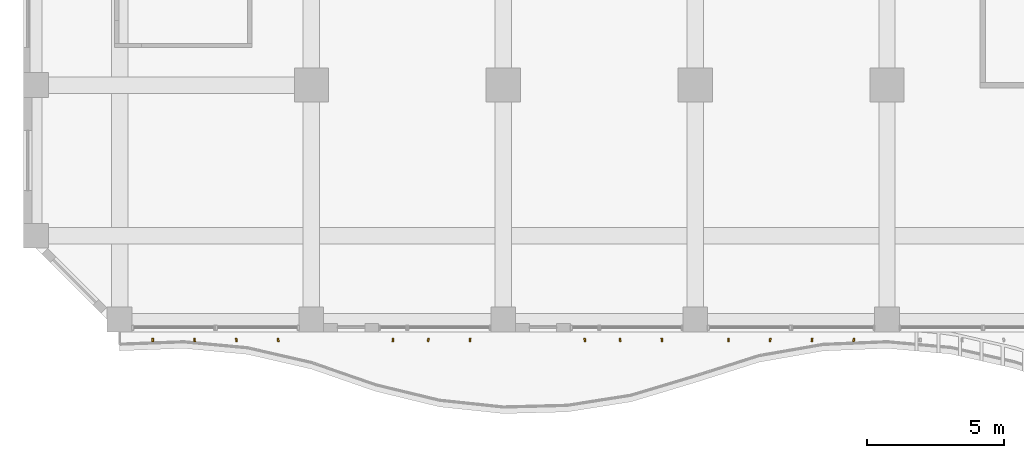
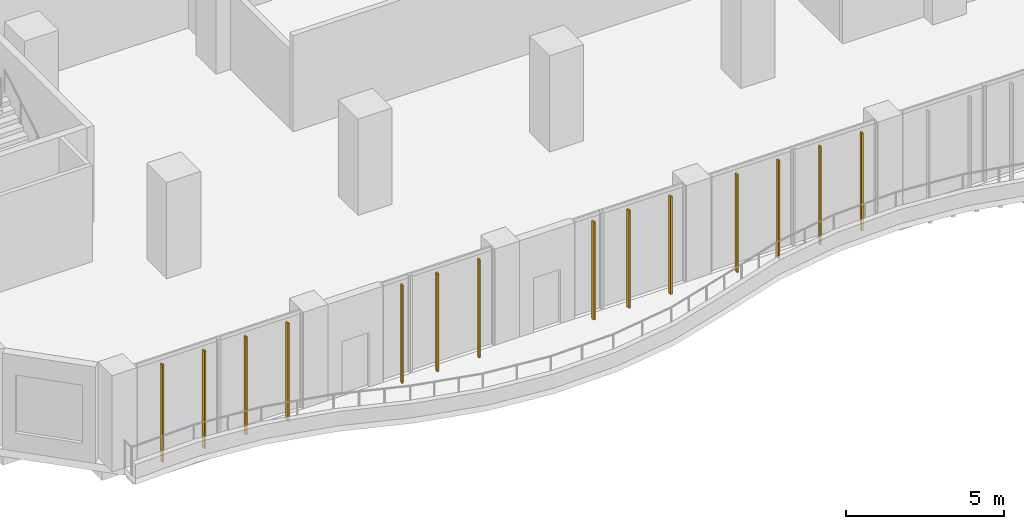
# One storey, part 17 of 25: 14 shading devices.
"""IFC4 building model written with IfcOpenShell, lengths in metres."""

from ifc_helpers import new_model, si_unit, direction, frame, origin, origin_2d, place, context, subcontext, project, spatial, rectangle, extrude, source, transform, mapped, material, material_profile, profile_set, type_object, element, save


model = new_model("IFC4")

# Units and contexts
model_context = context("Model", 3, precision=1e-05, world=origin(), true_north=direction((0.0, 1.0)))
body_context = subcontext(model_context, "Body", "Model", "MODEL_VIEW")
ifc_project = project(units=[si_unit("LENGTHUNIT", "METRE"), si_unit("AREAUNIT", "SQUARE_METRE"), si_unit("VOLUMEUNIT", "CUBIC_METRE"), si_unit("PLANEANGLEUNIT", "RADIAN"), si_unit("MASSUNIT", "GRAM", prefix="KILO")], contexts=[model_context])

# Site, building, storey
site_placement = place(None, origin())
site = spatial("IfcSite", under=ifc_project, at=site_placement, CompositionType="ELEMENT")
building_placement = place(site_placement, origin())
building = spatial("IfcBuilding", under=site, at=building_placement, Name="Kilnfold Tower and Market Hall", CompositionType="ELEMENT")
storey_placement = place(building_placement, frame((0.0, 0.0, 67.199951171875)))
storey = spatial("IfcBuildingStorey", under=building, at=storey_placement, Name="L15", CompositionType="ELEMENT", Elevation=67.199951171875)

# Shading devices
ifc_material = material(Name="Terracotta", Category="masonry")
ifc_material_profile = material_profile(ifc_material, rectangle(XDim=0.06005859375, YDim=0.1201171875, at=origin_2d()), Name="BAG 60x120")
ifc_profile_set = profile_set([ifc_material_profile], Name="Terracotta")
shading_device_type = type_object("IfcShadingDeviceType", Name="BAGUETTE", PredefinedType="USERDEFINED", material=ifc_profile_set)
shared_shape = source(origin(), body_context, "Body", "SweptSolid", [
    extrude(rectangle(XDim=0.06005859375, YDim=0.1201171875, at=origin_2d()), origin(), (0.0, 0.0, 1.0), 3.780029296875),
])
for number, where, z_axis, x_axis, name in (
    (1, (-18.28759765625, -28.300048828125, 0.0), (0.0, 0.0, 1.0), (0.999709663008, 0.02409542878, 0.0), "Terracotta baguette L15 S"),
    (2, (-16.762451171875, -28.300048828125, 0.0), (0.0, 0.0, 1.0), (0.994427170793, 0.105425812728, 0.0), "Terracotta baguette L15 S"),
    (3, (-15.237548828125, -28.300048828125, 0.0), (0.0, 0.0, 1.0), (0.990275840089, 0.139117793741, 0.0), "Terracotta baguette L15 S"),
    (4, (-13.71240234375, -28.300048828125, 0.0), (0.0, 0.0, 1.0), (0.99388429697, 0.11042646529, 0.0), "Terracotta baguette L15 S"),
    (5, (-9.52490234375, -28.300048828125, 0.0), (0.0, 0.0, 1.0), (0.993424820145, -0.114486360412, 0.0), "Terracotta baguette L15 S"),
    (6, (-8.237548828125, -28.300048828125, 0.0), (0.0, 0.0, 1.0), (0.990275840089, -0.139117793741, 0.0), "Terracotta baguette L15 S"),
    (7, (-6.71240234375, -28.300048828125, 0.0), (0.0, 0.0, 1.0), (0.99388429697, -0.11042646529, 0.0), "Terracotta baguette L15 S"),
    (8, (-2.52490234375, -28.300048828125, 0.0), (0.0, 0.0, 1.0), (0.993424820145, 0.114486360412, 0.0), "Terracotta baguette L15 S"),
    (9, (-1.237548828125, -28.300048828125, 0.0), (0.0, 0.0, 1.0), (0.990275840089, 0.139117793741, 0.0), "Terracotta baguette L15 S"),
    (10, (0.28759765625, -28.300048828125, 0.0), (0.0, 0.0, 1.0), (0.99388429697, 0.11042646529, 0.0), "Terracotta baguette L15 S"),
    (11, (2.71240234375, -28.300048828125, 0.0), (0.0, 0.0, 1.0), (0.999709663008, -0.02409542878, 0.0), "Terracotta baguette L15 S"),
    (12, (4.237548828125, -28.300048828125, 0.0), (0.0, 0.0, 1.0), (0.994427170793, -0.105425812728, 0.0), "Terracotta baguette L15 S"),
    (13, (5.762451171875, -28.300048828125, 0.0), (0.0, 0.0, 1.0), (0.990275840089, -0.139117793741, 0.0), "Terracotta baguette L15 S"),
    (14, (7.28759765625, -28.300048828125, 0.0), (0.0, 0.0, 1.0), (0.99388429697, -0.11042646529, 0.0), "Terracotta baguette L15 S"),
):
    element("IfcShadingDevice", number, at=place(storey_placement, frame(where, z_axis=z_axis, x_axis=x_axis)), inside=storey, type_object=shading_device_type, Name=name, ObjectType="BAGUETTE", PredefinedType="USERDEFINED", context=body_context, shape_type="MappedRepresentation", body=[
        mapped(shared_shape, transform((0.0, 0.0, 0.0))),
    ])

save(model, "model.ifc")
